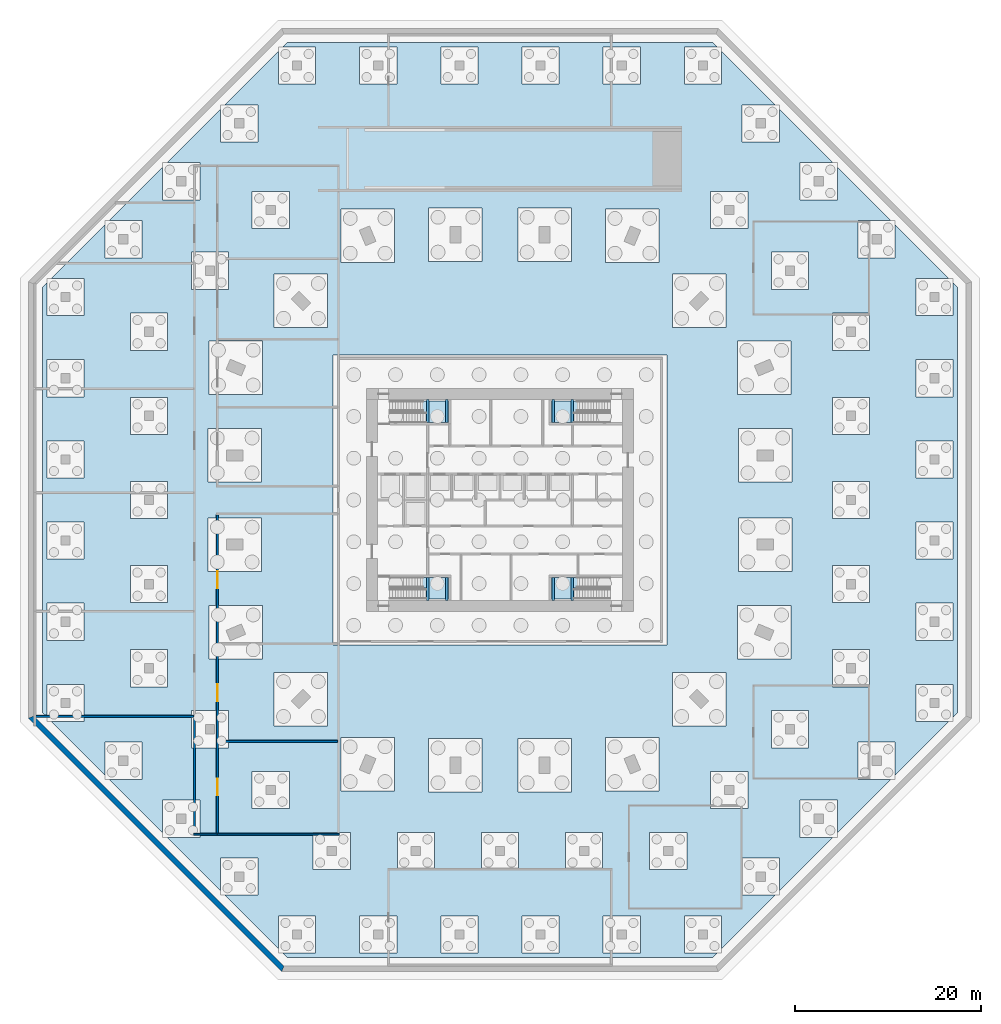
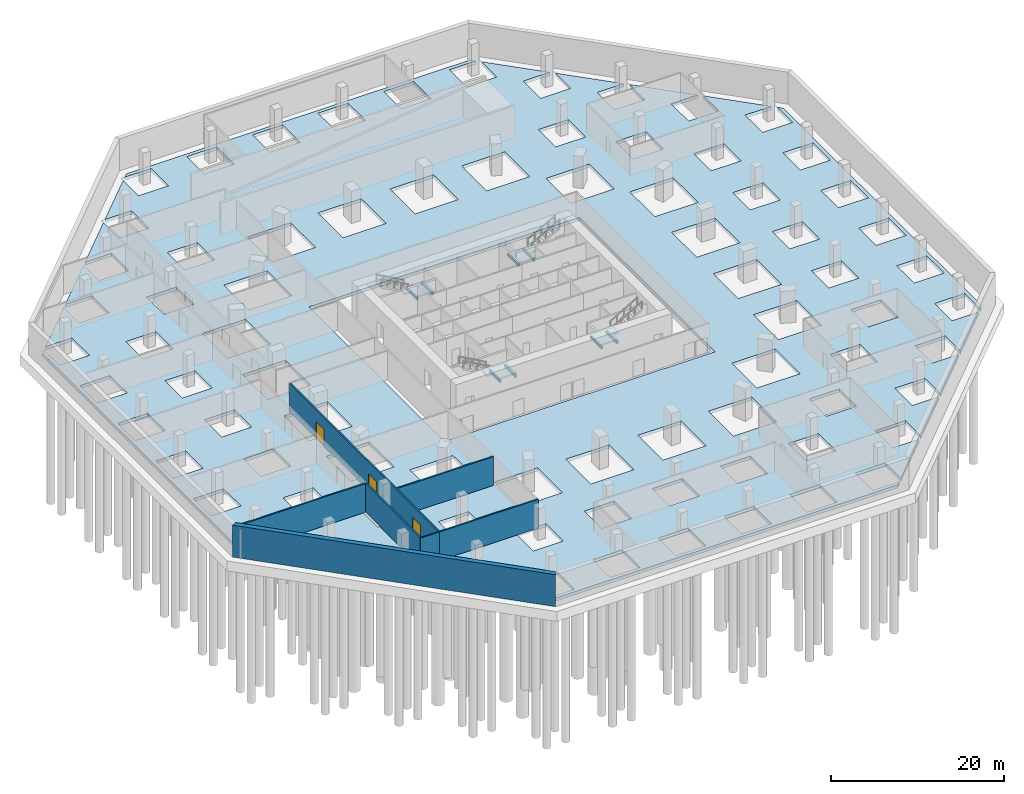
# One storey, part 4 of 14: 8 beams, 7 walls, 5 slabs, 3 doors, 3 openings, 4 elements without a shape of their own.
"""IFC4 building model written with IfcOpenShell, lengths in metres."""

import ifcopenshell
import ifcopenshell.guid

model = None  # the IFC model being written
_history = None  # IfcOwnerHistory: only IFC2X3 demands one
_inside = {}  # id of a spatial element -> (the spatial element, [elements in it])
_under = {}  # id of a project, library or spatial element -> (it, [spatial elements below it])
_declared = {}  # id of a project -> (the project, [libraries it declares])
_typed = {}  # id of a type object -> (the type object, [elements of that type])
_made_of = {}  # id of a material, layer set ... -> (it, [elements and type objects made of it])


def new_model(schema):
    """Start an empty IFC model of exactly this schema.

    Asked for "IFC4X3", IfcOpenShell would pick the latest addendum, in which some entities
    have other attributes; the version numbers below select the first issue.
    IFC2X3 requires an IfcOwnerHistory on every rooted entity: one is made here for all.
    """
    global model, _history
    if schema == "IFC4X3":
        model = ifcopenshell.file(schema_version=(4, 3, 0, 0))
    else:
        model = ifcopenshell.file(schema=schema)
    _inside.clear()
    _under.clear()
    _declared.clear()
    _typed.clear()
    _made_of.clear()
    _history = None
    if model.schema == "IFC2X3":
        org = make("IfcOrganization", Name="unknown")
        user = make(
            "IfcPersonAndOrganization",
            ThePerson=make("IfcPerson", FamilyName="unknown"),
            TheOrganization=org,
        )
        app = make(
            "IfcApplication",
            ApplicationDeveloper=org,
            Version="unknown",
            ApplicationFullName="unknown",
            ApplicationIdentifier="unknown",
        )
        _history = make(
            "IfcOwnerHistory",
            OwningUser=user,
            OwningApplication=app,
            ChangeAction="ADDED",
            CreationDate=0,
        )
    return model


def make(cls, **values):
    """One entity of the class cls with the attributes given. An attribute that is None is left unset."""
    return model.create_entity(
        cls, **{name: value for name, value in values.items() if value is not None}
    )


def rooted(cls, **values):
    """An entity with a GlobalId (a new one), such as an element, a storey or a relation."""
    return make(cls, GlobalId=ifcopenshell.guid.new(), OwnerHistory=_history, **values)


def si_unit(unit_type, name, prefix=None):
    """IfcSIUnit, for example si_unit("LENGTHUNIT", "METRE", prefix="MILLI")."""
    return make("IfcSIUnit", UnitType=unit_type, Prefix=prefix, Name=name)


def assignment(units):
    """IfcUnitAssignment: the units of a project."""
    return None if units is None else make("IfcUnitAssignment", Units=units)


def point(xyz):
    """IfcCartesianPoint."""
    return None if xyz is None else make("IfcCartesianPoint", Coordinates=xyz)


def direction(xyz):
    """IfcDirection."""
    return None if xyz is None else make("IfcDirection", DirectionRatios=xyz)


def frame(location, z_axis=None, x_axis=None):
    """IfcAxis2Placement3D, a coordinate frame: its origin and axes. An axis left out is left unset."""
    return make(
        "IfcAxis2Placement3D",
        Location=point(location),
        Axis=direction(z_axis),
        RefDirection=direction(x_axis),
    )


def frame_2d(location, x_axis=None):
    """IfcAxis2Placement2D, a coordinate frame in the plane: its origin and x axis."""
    return make(
        "IfcAxis2Placement2D", Location=point(location), RefDirection=direction(x_axis)
    )


def origin():
    """The frame at (0, 0, 0) with its axes left unset."""
    return frame((0.0, 0.0, 0.0))


def origin_2d():
    """The frame at (0, 0) in the plane with its x axis left unset."""
    return frame_2d((0.0, 0.0))


def place(relative_to, where):
    """IfcLocalPlacement: puts the frame where relative to a parent placement (None: the world)."""
    return make(
        "IfcLocalPlacement", PlacementRelTo=relative_to, RelativePlacement=where
    )


def context(
    kind, dimensions, precision=None, world=None, true_north=None, identifier=None
):
    """IfcGeometricRepresentationContext, for example the 3D "Model" context."""
    return make(
        "IfcGeometricRepresentationContext",
        ContextIdentifier=identifier,
        ContextType=kind,
        CoordinateSpaceDimension=dimensions,
        Precision=precision,
        WorldCoordinateSystem=world,
        TrueNorth=true_north,
    )


def subcontext(parent, identifier, kind, view, scale=None):
    """IfcGeometricRepresentationSubContext, for example "Body" below "Model"."""
    return make(
        "IfcGeometricRepresentationSubContext",
        ContextIdentifier=identifier,
        ContextType=kind,
        ParentContext=parent,
        TargetScale=scale,
        TargetView=view,
    )


def project(units=None, contexts=None):
    """IfcProject with its units and contexts."""
    return rooted(
        "IfcProject",
        Name="project",
        RepresentationContexts=contexts,
        UnitsInContext=assignment(units),
    )


def spatial(cls, under=None, at=None, **own):
    """A site, building, storey or space (cls), placed at a placement, below another one or the project."""
    s = rooted(cls, ObjectPlacement=at, **own)
    if under is not None:
        _under.setdefault(under.id(), (under, []))[1].append(s)
    return s


def polyline(points):
    """IfcPolyline through the points."""
    return make("IfcPolyline", Points=[point(p) for p in points])


def profile(cls, at=None, kind="AREA", **sizes):
    """A parametric profile (cls). Its sizes go by their IFC names, for example OverallWidth=200.0."""
    return make(cls, ProfileType=kind, Position=at, **sizes)


def rectangle(**sizes):
    """IfcRectangleProfileDef."""
    return profile("IfcRectangleProfileDef", **sizes)


def outline(outer, holes=None, kind="AREA"):
    """IfcArbitraryClosedProfileDef: a profile drawn as a closed curve; with holes, ...WithVoids."""
    if holes is None:
        return make("IfcArbitraryClosedProfileDef", ProfileType=kind, OuterCurve=outer)
    return make(
        "IfcArbitraryProfileDefWithVoids",
        ProfileType=kind,
        OuterCurve=outer,
        InnerCurves=holes,
    )


def extrude(swept, where, along, depth):
    """IfcExtrudedAreaSolid: the profile swept, set in the frame where, extruded along a direction by depth."""
    return make(
        "IfcExtrudedAreaSolid",
        SweptArea=swept,
        Position=where,
        ExtrudedDirection=direction(along),
        Depth=depth,
    )


def shape(context_of_items, identifier, shape_type, items):
    """IfcShapeRepresentation: the items that make up one representation, for example the "Body"."""
    return make(
        "IfcShapeRepresentation",
        ContextOfItems=context_of_items,
        RepresentationIdentifier=identifier,
        RepresentationType=shape_type,
        Items=items,
    )


def material(Name=None, Category=None):
    """IfcMaterial."""
    return make("IfcMaterial", Name=Name, Category=Category)


def layer(
    of_material, thickness, ventilated=None, Name=None, Category=None, Priority=None
):
    """IfcMaterialLayer: one layer of a wall or slab, of a material (None: an air gap)."""
    return make(
        "IfcMaterialLayer",
        Material=of_material,
        LayerThickness=thickness,
        IsVentilated=ventilated,
        Name=Name,
        Category=Category,
        Priority=Priority,
    )


def layer_set(layers, Name=None):
    """IfcMaterialLayerSet."""
    return make("IfcMaterialLayerSet", MaterialLayers=layers, LayerSetName=Name)


def material_profile(
    of_material, cross_section, Name=None, Category=None, Priority=None
):
    """IfcMaterialProfile: a cross section and its material."""
    return make(
        "IfcMaterialProfile",
        Name=Name,
        Material=of_material,
        Profile=cross_section,
        Priority=Priority,
        Category=Category,
    )


def profile_set(profiles, Name=None, composite=None):
    """IfcMaterialProfileSet."""
    return make(
        "IfcMaterialProfileSet",
        Name=Name,
        MaterialProfiles=profiles,
        CompositeProfile=composite,
    )


def made_of(thing, what):
    """Note that an element or type object is made of a material, layer set ...; save() writes the relation."""
    if what is not None:
        _made_of.setdefault(what.id(), (what, []))[1].append(thing)
    return thing


def type_object(cls, material=None, **own):
    """A type object (cls), such as IfcWallType, which elements share."""
    return made_of(rooted(cls, **own), material)


def element(
    cls,
    number,
    at=None,
    inside=None,
    cuts=None,
    type_object=None,
    material=None,
    context=None,
    identifier="Body",
    shape_type=None,
    held_by="IfcProductDefinitionShape",
    body=None,
    shapes=None,
    **own,
):
    """One element of the class cls, such as IfcWall. Its Tag is "e" and its number.

    at: its placement. inside: the storey or other place that contains it. cuts: it is an
    opening in that element (IfcRelVoidsElement). A single representation is given by context,
    identifier, shape_type and body (its items); several are given by shapes. held_by: the class
    of the entity that holds the representations. save() writes the other relations.
    """
    e = rooted(cls, Tag="e%d" % number, ObjectPlacement=at, **own)
    if body is not None:
        shapes = [shape(context, identifier, shape_type, body)]
    if shapes is not None:
        e.Representation = make(held_by, Representations=shapes)
    if inside is not None:
        _inside.setdefault(inside.id(), (inside, []))[1].append(e)
    if cuts is not None:
        rooted(
            "IfcRelVoidsElement", RelatingBuildingElement=cuts, RelatedOpeningElement=e
        )
    if type_object is not None:
        _typed.setdefault(type_object.id(), (type_object, []))[1].append(e)
    return made_of(e, material)


def fill(opening, filler):
    """IfcRelFillsElement: the door or window that sits in an opening."""
    return rooted(
        "IfcRelFillsElement",
        RelatingOpeningElement=opening,
        RelatedBuildingElement=filler,
    )


def aggregate(whole, parts):
    """IfcRelAggregates: a whole, such as a stair, and the parts it consists of."""
    return rooted("IfcRelAggregates", RelatingObject=whole, RelatedObjects=parts)


def save(model, path):
    """Write the relations noted so far, then the file.

    IfcRelAggregates (storeys below a building ...), IfcRelContainedInSpatialStructure (elements
    in a storey), IfcRelDefinesByType, IfcRelAssociatesMaterial and IfcRelDeclares: one each for
    every whole, place, type object, material and project.
    """
    for whole, parts in _under.values():
        aggregate(whole, parts)
    for where, things in _inside.values():
        rooted(
            "IfcRelContainedInSpatialStructure",
            RelatedElements=things,
            RelatingStructure=where,
        )
    for kind, things in _typed.values():
        rooted("IfcRelDefinesByType", RelatedObjects=things, RelatingType=kind)
    for what, things in _made_of.values():
        rooted("IfcRelAssociatesMaterial", RelatedObjects=things, RelatingMaterial=what)
    for by, libraries in _declared.values():
        rooted("IfcRelDeclares", RelatingContext=by, RelatedDefinitions=libraries)
    model.write(path)


model = new_model("IFC4")

# Units and contexts
model_context = context("Model", 3, precision=1e-05, world=origin(), true_north=direction((0.0, 1.0)))
body_context = subcontext(model_context, "Body", "Model", "MODEL_VIEW")
ifc_project = project(units=[si_unit("LENGTHUNIT", "METRE"), si_unit("AREAUNIT", "SQUARE_METRE"), si_unit("VOLUMEUNIT", "CUBIC_METRE"), si_unit("PLANEANGLEUNIT", "RADIAN"), si_unit("MASSUNIT", "GRAM", prefix="KILO")], contexts=[model_context])

# Site, building, storey
site_placement = place(None, origin())
site = spatial("IfcSite", under=ifc_project, at=site_placement, CompositionType="ELEMENT")
building_placement = place(site_placement, origin())
building = spatial("IfcBuilding", under=site, at=building_placement, Name="Msitu Wima Residences", CompositionType="ELEMENT")
storey_placement = place(building_placement, frame((0.0, 0.0, -9.0)))
storey = spatial("IfcBuildingStorey", under=building, at=storey_placement, Name="B2", CompositionType="ELEMENT", Elevation=-9.0)

# Beams
ifc_material_1 = material(Name="Concrete C40/50", Category="concrete")
ifc_material_profile = material_profile(ifc_material_1, rectangle(XDim=0.25, YDim=0.35009765625, at=origin_2d()), Name="RC 250x350")
ifc_profile_set = profile_set([ifc_material_profile], Name="Concrete C40/50")
beam_type = type_object("IfcBeamType", Name="Landing beam RC 250x350", PredefinedType="BEAM", material=ifc_profile_set)
for number, where, z_axis, x_axis, name in (
    (1, (-7.77490234375, 8.324951171875, 1.958251953125), (0.0, 1.0, 0.0), (-1.0, 0.0, 0.0), "Stair 1 landing beam"),
    (2, (-5.72509765625, 8.324951171875, 1.958251953125), (0.0, 1.0, 0.0), (-1.0, 0.0, 0.0), "Stair 1 landing beam"),
    (3, (-7.77490234375, -10.824951171875, 1.958251953125), (0.0, 1.0, 0.0), (-1.0, 0.0, 0.0), "Stair 2 landing beam"),
    (4, (-5.72509765625, -10.824951171875, 1.958251953125), (0.0, 1.0, 0.0), (-1.0, 0.0, 0.0), "Stair 2 landing beam"),
    (5, (7.77490234375, 8.324951171875, 1.958251953125), (0.0, 1.0, 0.0), (-1.0, 0.0, 0.0), "Stair 3 landing beam"),
    (6, (5.72509765625, 8.324951171875, 1.958251953125), (0.0, 1.0, 0.0), (-1.0, 0.0, 0.0), "Stair 3 landing beam"),
    (7, (7.77490234375, -10.824951171875, 1.958251953125), (0.0, 1.0, 0.0), (-1.0, 0.0, 0.0), "Stair 4 landing beam"),
    (8, (5.72509765625, -10.824951171875, 1.958251953125), (0.0, 1.0, 0.0), (-1.0, 0.0, 0.0), "Stair 4 landing beam"),
):
    element("IfcBeam", number, at=place(storey_placement, frame(where, z_axis=z_axis, x_axis=x_axis)), inside=storey, type_object=beam_type, Name=name, PredefinedType="BEAM", context=body_context, shape_type="SweptSolid", body=[
        extrude(rectangle(XDim=0.25, YDim=0.35009765625, at=origin_2d()), origin(), (0.0, 0.0, 1.0), 2.5),
    ])

# Slab
ifc_layer_1 = layer(ifc_material_1, 0.449951171875)
ifc_layer_set_1 = layer_set([ifc_layer_1], Name="Concrete C40/50")
slab_type_1 = type_object("IfcSlabType", Name="Base slab BS450", PredefinedType="BASESLAB", material=ifc_layer_set_1)
slab_1_placement = place(storey_placement, frame((0.0, 0.0, -0.449951171875)))
element("IfcSlab", 9, at=slab_1_placement, inside=storey, type_object=slab_type_1, Name="Base slab B2", PredefinedType="BASESLAB", context=body_context, shape_type="SweptSolid", body=[
    extrude(outline(polyline([(-26.091796875, 38.56396484375), (-26.091796875, 42.56396484375), (-29.62744140625, 42.56396484375), (-23.85595703125, 48.33544921875), (-23.85595703125, 44.800048828125), (-19.85595703125, 44.800048828125), (-19.85595703125, 48.800048828125), (-23.391357421875, 48.800048828125), (-22.891357421875, 49.300048828125), (22.891357421875, 49.300048828125), (23.391357421875, 48.800048828125), (19.85595703125, 48.800048828125), (19.85595703125, 44.800048828125), (23.85595703125, 44.800048828125), (23.85595703125, 48.33544921875), (29.62744140625, 42.56396484375), (26.091796875, 42.56396484375), (26.091796875, 38.56396484375), (30.091796875, 38.56396484375), (30.091796875, 42.099609375), (35.863525390625, 36.327880859375), (32.327880859375, 36.327880859375), (32.327880859375, 32.327880859375), (36.327880859375, 32.327880859375), (36.327880859375, 35.863525390625), (42.099609375, 30.091796875), (38.56396484375, 30.091796875), (38.56396484375, 26.091796875), (42.56396484375, 26.091796875), (42.56396484375, 29.62744140625), (48.33544921875, 23.85595703125), (44.800048828125, 23.85595703125), (44.800048828125, 19.85595703125), (48.800048828125, 19.85595703125), (48.800048828125, 23.391357421875), (49.300048828125, 22.891357421875), (49.300048828125, -22.891357421875), (48.800048828125, -23.391357421875), (48.800048828125, -19.85595703125), (44.800048828125, -19.85595703125), (44.800048828125, -23.85595703125), (48.33544921875, -23.85595703125), (42.56396484375, -29.62744140625), (42.56396484375, -26.091796875), (38.56396484375, -26.091796875), (38.56396484375, -30.091796875), (42.099609375, -30.091796875), (36.327880859375, -35.863525390625), (36.327880859375, -32.327880859375), (32.327880859375, -32.327880859375), (32.327880859375, -36.327880859375), (35.863525390625, -36.327880859375), (30.091796875, -42.099609375), (30.091796875, -38.56396484375), (26.091796875, -38.56396484375), (26.091796875, -42.56396484375), (29.62744140625, -42.56396484375), (23.85595703125, -48.33544921875), (23.85595703125, -44.800048828125), (19.85595703125, -44.800048828125), (19.85595703125, -48.800048828125), (23.391357421875, -48.800048828125), (22.891357421875, -49.300048828125), (-22.891357421875, -49.300048828125), (-23.391357421875, -48.800048828125), (-19.85595703125, -48.800048828125), (-19.85595703125, -44.800048828125), (-23.85595703125, -44.800048828125), (-23.85595703125, -48.33544921875), (-29.62744140625, -42.56396484375), (-26.091796875, -42.56396484375), (-26.091796875, -38.56396484375), (-30.091796875, -38.56396484375), (-30.091796875, -42.099609375), (-35.863525390625, -36.327880859375), (-32.327880859375, -36.327880859375), (-32.327880859375, -32.327880859375), (-36.327880859375, -32.327880859375), (-36.327880859375, -35.863525390625), (-42.099609375, -30.091796875), (-38.56396484375, -30.091796875), (-38.56396484375, -26.091796875), (-42.56396484375, -26.091796875), (-42.56396484375, -29.62744140625), (-48.33544921875, -23.85595703125), (-44.800048828125, -23.85595703125), (-44.800048828125, -19.85595703125), (-48.800048828125, -19.85595703125), (-48.800048828125, -23.391357421875), (-49.300048828125, -22.891357421875), (-49.300048828125, 22.891357421875), (-48.800048828125, 23.391357421875), (-48.800048828125, 19.85595703125), (-44.800048828125, 19.85595703125), (-44.800048828125, 23.85595703125), (-48.33544921875, 23.85595703125), (-42.56396484375, 29.62744140625), (-42.56396484375, 26.091796875), (-38.56396484375, 26.091796875), (-38.56396484375, 30.091796875), (-42.099609375, 30.091796875), (-36.327880859375, 35.863525390625), (-36.327880859375, 32.327880859375), (-32.327880859375, 32.327880859375), (-32.327880859375, 36.327880859375), (-35.863525390625, 36.327880859375), (-30.091796875, 42.099609375), (-30.091796875, 38.56396484375), (-26.091796875, 38.56396484375)]), holes=[polyline([(18.0, -15.60009765625), (18.0, 15.60009765625), (-18.0, 15.60009765625), (-18.0, -15.60009765625), (18.0, -15.60009765625)]), polyline([(-15.113525390625, -44.800048828125), (-15.113525390625, -48.800048828125), (-11.113525390625, -48.800048828125), (-11.113525390625, -44.800048828125), (-15.113525390625, -44.800048828125)]), polyline([(-2.37109375, -44.800048828125), (-6.37109375, -44.800048828125), (-6.37109375, -48.800048828125), (-2.37109375, -48.800048828125), (-2.37109375, -44.800048828125)]), polyline([(6.37109375, -48.800048828125), (6.37109375, -44.800048828125), (2.37109375, -44.800048828125), (2.37109375, -48.800048828125), (6.37109375, -48.800048828125)]), polyline([(11.113525390625, -48.800048828125), (15.113525390625, -48.800048828125), (15.113525390625, -44.800048828125), (11.113525390625, -44.800048828125), (11.113525390625, -48.800048828125)]), polyline([(-20.1279296875, -39.800048828125), (-16.1279296875, -39.800048828125), (-16.1279296875, -35.800048828125), (-20.1279296875, -35.800048828125), (-20.1279296875, -39.800048828125)]), polyline([(-11.06396484375, -35.800048828125), (-11.06396484375, -39.800048828125), (-7.06396484375, -39.800048828125), (-7.06396484375, -35.800048828125), (-11.06396484375, -35.800048828125)]), polyline([(2.0, -35.800048828125), (-2.0, -35.800048828125), (-2.0, -39.800048828125), (2.0, -39.800048828125), (2.0, -35.800048828125)]), polyline([(11.06396484375, -39.800048828125), (11.06396484375, -35.800048828125), (7.06396484375, -35.800048828125), (7.06396484375, -39.800048828125), (11.06396484375, -39.800048828125)]), polyline([(16.1279296875, -39.800048828125), (20.1279296875, -39.800048828125), (20.1279296875, -35.800048828125), (16.1279296875, -35.800048828125), (16.1279296875, -39.800048828125)]), polyline([(-22.685302734375, -33.24267578125), (-22.685302734375, -29.24267578125), (-26.685302734375, -29.24267578125), (-26.685302734375, -33.24267578125), (-22.685302734375, -33.24267578125)]), polyline([(22.685302734375, -33.24267578125), (26.685302734375, -33.24267578125), (26.685302734375, -29.24267578125), (22.685302734375, -29.24267578125), (22.685302734375, -33.24267578125)]), polyline([(-7.675048828125, -25.699951171875), (-7.675048828125, -31.449951171875), (-1.925048828125, -31.449951171875), (-1.925048828125, -25.699951171875), (-7.675048828125, -25.699951171875)]), polyline([(7.675048828125, -25.699951171875), (1.925048828125, -25.699951171875), (1.925048828125, -31.449951171875), (7.675048828125, -31.449951171875), (7.675048828125, -25.699951171875)]), polyline([(-11.3818359375, -31.3291015625), (-11.3818359375, -25.5791015625), (-17.1318359375, -25.5791015625), (-17.1318359375, -31.3291015625), (-11.3818359375, -31.3291015625)]), polyline([(11.3818359375, -31.3291015625), (17.1318359375, -31.3291015625), (17.1318359375, -25.5791015625), (11.3818359375, -25.5791015625), (11.3818359375, -31.3291015625)]), polyline([(-29.24267578125, -26.685302734375), (-29.24267578125, -22.685302734375), (-33.24267578125, -22.685302734375), (-33.24267578125, -26.685302734375), (-29.24267578125, -26.685302734375)]), polyline([(29.24267578125, -26.685302734375), (33.24267578125, -26.685302734375), (33.24267578125, -22.685302734375), (29.24267578125, -22.685302734375), (29.24267578125, -26.685302734375)]), polyline([(-24.31591796875, -18.56591796875), (-24.31591796875, -24.31591796875), (-18.56591796875, -24.31591796875), (-18.56591796875, -18.56591796875), (-24.31591796875, -18.56591796875)]), polyline([(24.31591796875, -18.56591796875), (18.56591796875, -18.56591796875), (18.56591796875, -24.31591796875), (24.31591796875, -24.31591796875), (24.31591796875, -18.56591796875)]), polyline([(-39.800048828125, -16.1279296875), (-39.800048828125, -20.1279296875), (-35.800048828125, -20.1279296875), (-35.800048828125, -16.1279296875), (-39.800048828125, -16.1279296875)]), polyline([(39.800048828125, -16.1279296875), (35.800048828125, -16.1279296875), (35.800048828125, -20.1279296875), (39.800048828125, -20.1279296875), (39.800048828125, -16.1279296875)]), polyline([(-25.5791015625, -17.1318359375), (-25.5791015625, -11.3818359375), (-31.3291015625, -11.3818359375), (-31.3291015625, -17.1318359375), (-25.5791015625, -17.1318359375)]), polyline([(25.5791015625, -17.1318359375), (31.3291015625, -17.1318359375), (31.3291015625, -11.3818359375), (25.5791015625, -11.3818359375), (25.5791015625, -17.1318359375)]), polyline([(-48.800048828125, -11.113525390625), (-48.800048828125, -15.113525390625), (-44.800048828125, -15.113525390625), (-44.800048828125, -11.113525390625), (-48.800048828125, -11.113525390625)]), polyline([(48.800048828125, -11.113525390625), (44.800048828125, -11.113525390625), (44.800048828125, -15.113525390625), (48.800048828125, -15.113525390625), (48.800048828125, -11.113525390625)]), polyline([(-35.800048828125, -11.06396484375), (-35.800048828125, -7.06396484375), (-39.800048828125, -7.06396484375), (-39.800048828125, -11.06396484375), (-35.800048828125, -11.06396484375)]), polyline([(35.800048828125, -11.06396484375), (39.800048828125, -11.06396484375), (39.800048828125, -7.06396484375), (35.800048828125, -7.06396484375), (35.800048828125, -11.06396484375)]), polyline([(-31.449951171875, -1.925048828125), (-31.449951171875, -7.675048828125), (-25.699951171875, -7.675048828125), (-25.699951171875, -1.925048828125), (-31.449951171875, -1.925048828125)]), polyline([(31.449951171875, -1.925048828125), (25.699951171875, -1.925048828125), (25.699951171875, -7.675048828125), (31.449951171875, -7.675048828125), (31.449951171875, -1.925048828125)]), polyline([(-44.800048828125, -6.37109375), (-44.800048828125, -2.37109375), (-48.800048828125, -2.37109375), (-48.800048828125, -6.37109375), (-44.800048828125, -6.37109375)]), polyline([(44.800048828125, -6.37109375), (48.800048828125, -6.37109375), (48.800048828125, -2.37109375), (44.800048828125, -2.37109375), (44.800048828125, -6.37109375)]), polyline([(-39.800048828125, 2.0), (-39.800048828125, -2.0), (-35.800048828125, -2.0), (-35.800048828125, 2.0), (-39.800048828125, 2.0)]), polyline([(39.800048828125, 2.0), (35.800048828125, 2.0), (35.800048828125, -2.0), (39.800048828125, -2.0), (39.800048828125, 2.0)]), polyline([(-25.699951171875, 1.925048828125), (-25.699951171875, 7.675048828125), (-31.449951171875, 7.675048828125), (-31.449951171875, 1.925048828125), (-25.699951171875, 1.925048828125)]), polyline([(25.699951171875, 1.925048828125), (31.449951171875, 1.925048828125), (31.449951171875, 7.675048828125), (25.699951171875, 7.675048828125), (25.699951171875, 1.925048828125)]), polyline([(-48.800048828125, 6.37109375), (-48.800048828125, 2.37109375), (-44.800048828125, 2.37109375), (-44.800048828125, 6.37109375), (-48.800048828125, 6.37109375)]), polyline([(48.800048828125, 6.37109375), (44.800048828125, 6.37109375), (44.800048828125, 2.37109375), (48.800048828125, 2.37109375), (48.800048828125, 6.37109375)]), polyline([(-35.800048828125, 7.06396484375), (-35.800048828125, 11.06396484375), (-39.800048828125, 11.06396484375), (-39.800048828125, 7.06396484375), (-35.800048828125, 7.06396484375)]), polyline([(35.800048828125, 7.06396484375), (39.800048828125, 7.06396484375), (39.800048828125, 11.06396484375), (35.800048828125, 11.06396484375), (35.800048828125, 7.06396484375)]), polyline([(-48.800048828125, 15.113525390625), (-48.800048828125, 11.113525390625), (-44.800048828125, 11.113525390625), (-44.800048828125, 15.113525390625), (-48.800048828125, 15.113525390625)]), polyline([(48.800048828125, 15.113525390625), (44.800048828125, 15.113525390625), (44.800048828125, 11.113525390625), (48.800048828125, 11.113525390625), (48.800048828125, 15.113525390625)]), polyline([(-25.5791015625, 11.3818359375), (-25.5791015625, 17.1318359375), (-31.3291015625, 17.1318359375), (-31.3291015625, 11.3818359375), (-25.5791015625, 11.3818359375)]), polyline([(25.5791015625, 11.3818359375), (31.3291015625, 11.3818359375), (31.3291015625, 17.1318359375), (25.5791015625, 17.1318359375), (25.5791015625, 11.3818359375)]), polyline([(-39.800048828125, 20.1279296875), (-39.800048828125, 16.1279296875), (-35.800048828125, 16.1279296875), (-35.800048828125, 20.1279296875), (-39.800048828125, 20.1279296875)]), polyline([(39.800048828125, 20.1279296875), (35.800048828125, 20.1279296875), (35.800048828125, 16.1279296875), (39.800048828125, 16.1279296875), (39.800048828125, 20.1279296875)]), polyline([(-18.56591796875, 18.56591796875), (-18.56591796875, 24.31591796875), (-24.31591796875, 24.31591796875), (-24.31591796875, 18.56591796875), (-18.56591796875, 18.56591796875)]), polyline([(18.56591796875, 18.56591796875), (24.31591796875, 18.56591796875), (24.31591796875, 24.31591796875), (18.56591796875, 24.31591796875), (18.56591796875, 18.56591796875)]), polyline([(-29.24267578125, 22.685302734375), (-29.24267578125, 26.685302734375), (-33.24267578125, 26.685302734375), (-33.24267578125, 22.685302734375), (-29.24267578125, 22.685302734375)]), polyline([(29.24267578125, 22.685302734375), (33.24267578125, 22.685302734375), (33.24267578125, 26.685302734375), (29.24267578125, 26.685302734375), (29.24267578125, 22.685302734375)]), polyline([(-17.1318359375, 31.3291015625), (-17.1318359375, 25.5791015625), (-11.3818359375, 25.5791015625), (-11.3818359375, 31.3291015625), (-17.1318359375, 31.3291015625)]), polyline([(17.1318359375, 31.3291015625), (11.3818359375, 31.3291015625), (11.3818359375, 25.5791015625), (17.1318359375, 25.5791015625), (17.1318359375, 31.3291015625)]), polyline([(-1.925048828125, 25.699951171875), (-1.925048828125, 31.449951171875), (-7.675048828125, 31.449951171875), (-7.675048828125, 25.699951171875), (-1.925048828125, 25.699951171875)]), polyline([(1.925048828125, 25.699951171875), (7.675048828125, 25.699951171875), (7.675048828125, 31.449951171875), (1.925048828125, 31.449951171875), (1.925048828125, 25.699951171875)]), polyline([(-22.685302734375, 29.24267578125), (-22.685302734375, 33.24267578125), (-26.685302734375, 33.24267578125), (-26.685302734375, 29.24267578125), (-22.685302734375, 29.24267578125)]), polyline([(22.685302734375, 29.24267578125), (26.685302734375, 29.24267578125), (26.685302734375, 33.24267578125), (22.685302734375, 33.24267578125), (22.685302734375, 29.24267578125)]), polyline([(-11.113525390625, 48.800048828125), (-15.113525390625, 48.800048828125), (-15.113525390625, 44.800048828125), (-11.113525390625, 44.800048828125), (-11.113525390625, 48.800048828125)]), polyline([(-2.37109375, 44.800048828125), (-2.37109375, 48.800048828125), (-6.37109375, 48.800048828125), (-6.37109375, 44.800048828125), (-2.37109375, 44.800048828125)]), polyline([(2.37109375, 44.800048828125), (6.37109375, 44.800048828125), (6.37109375, 48.800048828125), (2.37109375, 48.800048828125), (2.37109375, 44.800048828125)]), polyline([(11.113525390625, 48.800048828125), (11.113525390625, 44.800048828125), (15.113525390625, 44.800048828125), (15.113525390625, 48.800048828125), (11.113525390625, 48.800048828125)])]), origin(), (0.0, 0.0, 1.0), 0.449951171875),
])

# Stair, slab
stair_type = type_object("IfcStairType", Name="Exit stair ES1667-110", PredefinedType="HALF_TURN_STAIR", material=ifc_material_1)
stair_1_placement = place(storey_placement, origin())
stair_1 = element("IfcStair", 10, at=stair_1_placement, inside=storey, type_object=stair_type, Name="Basement stair 1", PredefinedType="HALF_TURN_STAIR")
ifc_layer_2 = layer(ifc_material_1, 0.199951171875)
ifc_layer_set_2 = layer_set([ifc_layer_2], Name="Concrete C40/50")
slab_type_2 = type_object("IfcSlabType", Name="Stair landing SL200", PredefinedType="LANDING", material=ifc_layer_set_2)
slab_2_placement = place(storey_placement, frame((0.0, 0.0, 2.13330078125)))
slab_2 = element("IfcSlab", 11, at=slab_2_placement, type_object=slab_type_2, Name="BST1 landing 1", PredefinedType="LANDING", context=body_context, shape_type="SweptSolid", body=[
    extrude(outline(polyline([(-5.52490234375, 8.324951171875), (-7.9755859375, 8.324951171875), (-7.9755859375, 9.5), (-8.77490234375, 9.5), (-8.77490234375, 10.675048828125), (-5.52490234375, 10.675048828125), (-5.52490234375, 8.324951171875)])), origin(), (0.0, 0.0, 1.0), 0.199951171875),
])
aggregate(stair_1, [slab_2])

stair_2_placement = place(storey_placement, origin())
stair_2 = element("IfcStair", 12, at=stair_2_placement, inside=storey, type_object=stair_type, Name="Basement stair 2", PredefinedType="HALF_TURN_STAIR")
slab_3_placement = place(storey_placement, frame((0.0, 0.0, 2.13330078125)))
slab_3 = element("IfcSlab", 13, at=slab_3_placement, type_object=slab_type_2, Name="BST2 landing 1", PredefinedType="LANDING", context=body_context, shape_type="SweptSolid", body=[
    extrude(outline(polyline([(-5.52490234375, -10.675048828125), (-7.9755859375, -10.675048828125), (-7.9755859375, -9.5), (-8.77490234375, -9.5), (-8.77490234375, -8.324951171875), (-5.52490234375, -8.324951171875), (-5.52490234375, -10.675048828125)])), origin(), (0.0, 0.0, 1.0), 0.199951171875),
])
aggregate(stair_2, [slab_3])

stair_3_placement = place(storey_placement, origin())
stair_3 = element("IfcStair", 14, at=stair_3_placement, inside=storey, type_object=stair_type, Name="Basement stair 3", PredefinedType="HALF_TURN_STAIR")
slab_4_placement = place(storey_placement, frame((0.0, 0.0, 2.13330078125)))
slab_4 = element("IfcSlab", 15, at=slab_4_placement, type_object=slab_type_2, Name="BST3 landing 1", PredefinedType="LANDING", context=body_context, shape_type="SweptSolid", body=[
    extrude(outline(polyline([(5.52490234375, 8.324951171875), (7.9755859375, 8.324951171875), (7.9755859375, 9.5), (8.77490234375, 9.5), (8.77490234375, 10.675048828125), (5.52490234375, 10.675048828125), (5.52490234375, 8.324951171875)])), origin(), (0.0, 0.0, 1.0), 0.199951171875),
])
aggregate(stair_3, [slab_4])

stair_4_placement = place(storey_placement, origin())
stair_4 = element("IfcStair", 16, at=stair_4_placement, inside=storey, type_object=stair_type, Name="Basement stair 4", PredefinedType="HALF_TURN_STAIR")
slab_5_placement = place(storey_placement, frame((0.0, 0.0, 2.13330078125)))
slab_5 = element("IfcSlab", 17, at=slab_5_placement, type_object=slab_type_2, Name="BST4 landing 1", PredefinedType="LANDING", context=body_context, shape_type="SweptSolid", body=[
    extrude(outline(polyline([(5.52490234375, -10.675048828125), (7.9755859375, -10.675048828125), (7.9755859375, -9.5), (8.77490234375, -9.5), (8.77490234375, -8.324951171875), (5.52490234375, -8.324951171875), (5.52490234375, -10.675048828125)])), origin(), (0.0, 0.0, 1.0), 0.199951171875),
])
aggregate(stair_4, [slab_5])

# Walls
ifc_material_2 = material(Name="Plaster")
ifc_layer_3 = layer(ifc_material_2, 0.011962890625, Name="Plaster")
ifc_material_3 = material(Name="Concrete blockwork", Category="masonry")
ifc_layer_4 = layer(ifc_material_3, 0.176025390625, Name="Concrete blockwork")
ifc_layer_5 = layer(ifc_material_2, 0.011962890625, Name="Plaster")
ifc_layer_set_3 = layer_set([ifc_layer_3, ifc_layer_4, ifc_layer_5], Name="Concrete blockwork")
wall_type_1 = type_object("IfcWallType", Name="Corridor wall FW200", PredefinedType="PARTITIONING", material=ifc_layer_set_3)
wall_1_placement = place(storey_placement, frame((-32.89990234375, -35.89990234375, 0.0), z_axis=(0.0, 0.0, 1.0), x_axis=(0.0, 1.0, 0.0)))
element("IfcWall", 18, at=wall_1_placement, inside=storey, type_object=wall_type_1, Name="Corridor wall", PredefinedType="PARTITIONING", context=body_context, shape_type="SweptSolid", body=[
    extrude(rectangle(XDim=12.579833984375, YDim=0.199951171875, at=frame_2d((6.2900390625, 0.0))), origin(), (0.0, 0.0, 1.0), 4.048095703125),
])
wall_2_placement = place(storey_placement, frame((-33.0, -36.0, 0.0), z_axis=(0.0, 0.0, 1.0), x_axis=(1.0, 0.0, 0.0)))
element("IfcWall", 19, at=wall_2_placement, inside=storey, type_object=wall_type_1, Name="Corridor wall", PredefinedType="PARTITIONING", context=body_context, shape_type="SweptSolid", body=[
    extrude(rectangle(XDim=2.537353515625, YDim=0.199951171875, at=frame_2d((1.2685546875, 0.0))), origin(), (0.0, 0.0, 1.0), 4.048095703125),
])
ifc_layer_6 = layer(ifc_material_2, 0.011962890625, Name="Plaster")
ifc_material_4 = material(Name="Reinforced concrete blockwork", Category="masonry")
ifc_layer_7 = layer(ifc_material_4, 0.176025390625, Name="Reinforced concrete blockwork")
ifc_layer_8 = layer(ifc_material_2, 0.011962890625, Name="Plaster")
ifc_layer_set_4 = layer_set([ifc_layer_6, ifc_layer_7, ifc_layer_8], Name="Reinforced concrete blockwork")
wall_type_2 = type_object("IfcWallType", Name="Plant and riser wall PL200", PredefinedType="PARTITIONING", material=ifc_layer_set_4)
wall_3_placement = place(storey_placement, frame((-50.022705078125, -23.300048828125, 0.0), z_axis=(0.0, 0.0, 1.0), x_axis=(1.0, 0.0, 0.0)))
element("IfcWall", 20, at=wall_3_placement, inside=storey, type_object=wall_type_2, Name="Plant and riser wall", PredefinedType="PARTITIONING", context=body_context, shape_type="SweptSolid", body=[
    extrude(rectangle(XDim=17.022705078125, YDim=0.199951171875, at=frame_2d((8.51123046875, 0.0))), origin(), (0.0, 0.0, 1.0), 4.048095703125),
])
wall_4_placement = place(storey_placement, frame((-30.462646484375, -36.0, 0.0), z_axis=(0.0, 0.0, 1.0), x_axis=(1.0, 0.0, 0.0)))
element("IfcWall", 21, at=wall_4_placement, inside=storey, type_object=wall_type_2, Name="Plant and riser wall", PredefinedType="PARTITIONING", context=body_context, shape_type="SweptSolid", body=[
    extrude(rectangle(XDim=13.16259765625, YDim=0.199951171875, at=frame_2d((6.581298828125, 0.0))), origin(), (0.0, 0.0, 1.0), 4.048095703125),
])

# Wall, openings, doors
wall_5_placement = place(storey_placement, frame((-30.442626953125, -35.89990234375, 0.0), z_axis=(0.0, 0.0, 1.0), x_axis=(0.0, 1.0, 0.0)))
wall_5 = element("IfcWall", 22, at=wall_5_placement, inside=storey, type_object=wall_type_2, Name="Plant and riser wall", PredefinedType="PARTITIONING", context=body_context, shape_type="SweptSolid", body=[
    extrude(rectangle(XDim=34.2998046875, YDim=0.199951171875, at=frame_2d((17.14990234375, 0.0))), origin(), (0.0, 0.0, 1.0), 4.048095703125),
])
opening_1_placement = place(wall_5_placement, frame((4.10009765625, 0.0, 0.0)))
opening_1 = element("IfcOpeningElement", 23, at=opening_1_placement, cuts=wall_5, Name="Opening DB2.034", PredefinedType="OPENING", context=body_context, shape_type="SweptSolid", body=[
    extrude(rectangle(XDim=1.800048828125, YDim=2.39990234375, at=frame_2d((0.89990234375, 1.199951171875))), frame((0.0, 0.10986328125, 0.0), z_axis=(0.0, -1.0, 0.0), x_axis=(1.0, 0.0, 0.0)), (0.0, 0.0, 1.0), 0.219970703125),
])
opening_2_placement = place(wall_5_placement, frame((14.25, 0.0, 0.0)))
opening_2 = element("IfcOpeningElement", 24, at=opening_2_placement, cuts=wall_5, Name="Opening DB2.035", PredefinedType="OPENING", context=body_context, shape_type="SweptSolid", body=[
    extrude(rectangle(XDim=1.800048828125, YDim=2.39990234375, at=frame_2d((0.89990234375, 1.199951171875))), frame((0.0, 0.10986328125, 0.0), z_axis=(0.0, -1.0, 0.0), x_axis=(1.0, 0.0, 0.0)), (0.0, 0.0, 1.0), 0.219970703125),
])
opening_3_placement = place(wall_5_placement, frame((26.39990234375, 0.0, 0.0)))
opening_3 = element("IfcOpeningElement", 25, at=opening_3_placement, cuts=wall_5, Name="Opening DB2.036", PredefinedType="OPENING", context=body_context, shape_type="SweptSolid", body=[
    extrude(rectangle(XDim=1.800048828125, YDim=2.39990234375, at=frame_2d((0.89990234375, 1.199951171875))), frame((0.0, 0.10986328125, 0.0), z_axis=(0.0, -1.0, 0.0), x_axis=(1.0, 0.0, 0.0)), (0.0, 0.0, 1.0), 0.219970703125),
])
ifc_material_5 = material(Name="Steel door, fire resisting", Category="steel")
door_type = type_object("IfcDoorType", Name="Plant room door D09 1800x2400", OperationType="DOUBLE_DOOR_SINGLE_SWING", PredefinedType="DOOR", material=ifc_material_5)
door_1_placement = place(opening_1_placement, origin())
door_1 = element("IfcDoor", 26, at=door_1_placement, inside=storey, type_object=door_type, Name="Plant room door", OperationType="DOUBLE_DOOR_SINGLE_SWING", OverallHeight=2.39990234375, OverallWidth=1.800048828125, PredefinedType="DOOR", context=body_context, shape_type="SweptSolid", body=[
    extrude(rectangle(XDim=1.800048828125, YDim=2.39990234375, at=frame_2d((0.89990234375, 1.199951171875))), frame((0.0, 0.02490234375, 0.0), z_axis=(0.0, -1.0, 0.0), x_axis=(1.0, 0.0, 0.0)), (0.0, 0.0, 1.0), 0.050048828125),
])
fill(opening_1, door_1)
door_2_placement = place(opening_2_placement, origin())
door_2 = element("IfcDoor", 27, at=door_2_placement, inside=storey, type_object=door_type, Name="Plant room door", OperationType="DOUBLE_DOOR_SINGLE_SWING", OverallHeight=2.39990234375, OverallWidth=1.800048828125, PredefinedType="DOOR", context=body_context, shape_type="SweptSolid", body=[
    extrude(rectangle(XDim=1.800048828125, YDim=2.39990234375, at=frame_2d((0.89990234375, 1.199951171875))), frame((0.0, 0.02490234375, 0.0), z_axis=(0.0, -1.0, 0.0), x_axis=(1.0, 0.0, 0.0)), (0.0, 0.0, 1.0), 0.050048828125),
])
fill(opening_2, door_2)
door_3_placement = place(opening_3_placement, origin())
door_3 = element("IfcDoor", 28, at=door_3_placement, inside=storey, type_object=door_type, Name="Plant room door", OperationType="DOUBLE_DOOR_SINGLE_SWING", OverallHeight=2.39990234375, OverallWidth=1.800048828125, PredefinedType="DOOR", context=body_context, shape_type="SweptSolid", body=[
    extrude(rectangle(XDim=1.800048828125, YDim=2.39990234375, at=frame_2d((0.89990234375, 1.199951171875))), frame((0.0, 0.02490234375, 0.0), z_axis=(0.0, -1.0, 0.0), x_axis=(1.0, 0.0, 0.0)), (0.0, 0.0, 1.0), 0.050048828125),
])
fill(opening_3, door_3)

# Walls
wall_6_placement = place(storey_placement, frame((-30.342529296875, -26.0, 0.0), z_axis=(0.0, 0.0, 1.0), x_axis=(1.0, 0.0, 0.0)))
element("IfcWall", 29, at=wall_6_placement, inside=storey, type_object=wall_type_2, Name="Plant and riser wall", PredefinedType="PARTITIONING", context=body_context, shape_type="SweptSolid", body=[
    extrude(rectangle(XDim=12.842529296875, YDim=0.199951171875, at=frame_2d((6.42138671875, 0.0))), origin(), (0.0, 0.0, 1.0), 4.048095703125),
])
ifc_material_6 = material(Name="Concrete C60/75", Category="concrete")
ifc_layer_9 = layer(ifc_material_6, 0.60009765625)
ifc_layer_set_5 = layer_set([ifc_layer_9], Name="Concrete C60/75")
wall_type_3 = type_object("IfcWallType", Name="Retaining wall RW600", PredefinedType="SOLIDWALL", material=ifc_layer_set_5)
wall_7_placement = place(storey_placement, origin())
element("IfcWall", 30, at=wall_7_placement, inside=storey, type_object=wall_type_3, Name="Basement retaining wall SW B2", PredefinedType="SOLIDWALL", context=body_context, shape_type="SweptSolid", body=[
    extrude(outline(polyline([(-50.800048828125, -23.5126953125), (-23.5126953125, -50.800048828125), (-23.26416015625, -50.199951171875), (-50.199951171875, -23.26416015625), (-50.800048828125, -23.5126953125)])), origin(), (0.0, 0.0, 1.0), 4.5),
])

save(model, "model.ifc")
